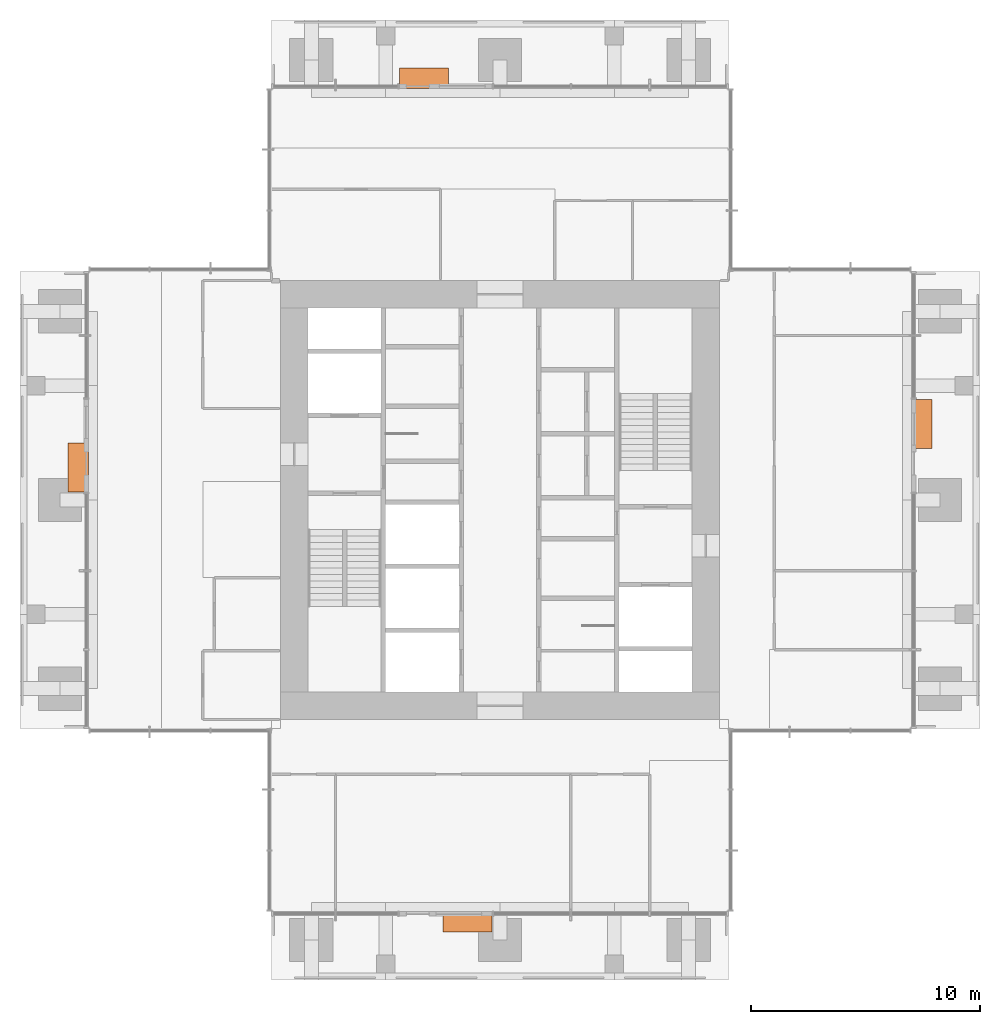
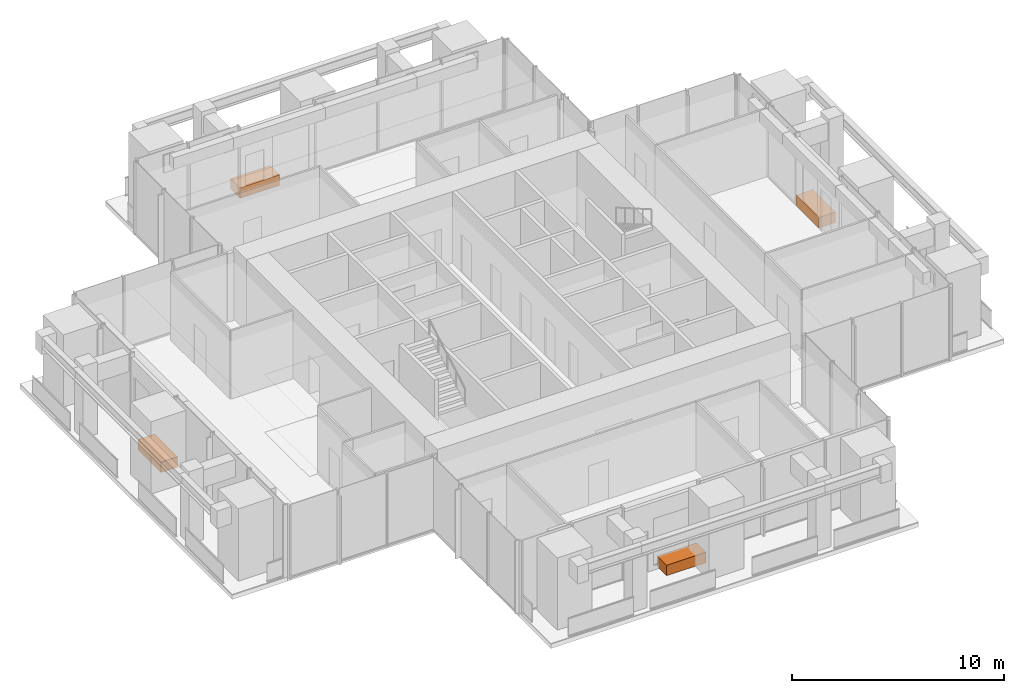
# One storey, part 12 of 12: 4 proxies.
"""IFC4 building model written with IfcOpenShell, lengths in metres."""

from ifc_helpers import new_model, si_unit, direction, frame, origin, origin_2d, place, context, subcontext, project, spatial, rectangle, extrude, element, save


model = new_model("IFC4")

# Units and contexts
model_context = context("Model", 3, precision=1e-05, world=origin(), true_north=direction((0.0, 1.0)))
body_context = subcontext(model_context, "Body", "Model", "MODEL_VIEW")
ifc_project = project(units=[si_unit("LENGTHUNIT", "METRE"), si_unit("AREAUNIT", "SQUARE_METRE"), si_unit("VOLUMEUNIT", "CUBIC_METRE"), si_unit("PLANEANGLEUNIT", "RADIAN"), si_unit("MASSUNIT", "GRAM", prefix="KILO")], contexts=[model_context])

# Site, building, storey
site_placement = place(None, origin())
site = spatial("IfcSite", under=ifc_project, at=site_placement, CompositionType="ELEMENT")
building_placement = place(site_placement, origin())
building = spatial("IfcBuilding", under=site, at=building_placement, Name="Svetlomir Tower", CompositionType="ELEMENT")
storey_placement = place(building_placement, frame((0.0, 0.0, 248.199951171875)))
storey = spatial("IfcBuildingStorey", under=building, at=storey_placement, Name="L59", CompositionType="ELEMENT", Elevation=248.199951171875)

# Proxies
proxy_1_placement = place(storey_placement, frame((19.574951171875, 2.550048828125, 0.0400390625), z_axis=(0.0, 0.0, 1.0), x_axis=(1.0, 0.0, 0.0)))
element("IfcBuildingElementProxy", 1, at=proxy_1_placement, inside=storey, Name="Tree planter S L59", ObjectType="PLANTER", PredefinedType="USERDEFINED", context=body_context, shape_type="SweptSolid", body=[
    extrude(rectangle(XDim=2.14990234375, YDim=0.89990234375, at=origin_2d()), origin(), (0.0, 0.0, 1.0), 0.60009765625),
])
proxy_2_placement = place(storey_placement, frame((39.449951171875, 24.324951171875, 0.0400390625), z_axis=(0.0, 0.0, 1.0), x_axis=(1.0, 0.0, 0.0)))
element("IfcBuildingElementProxy", 2, at=proxy_2_placement, inside=storey, Name="Tree planter E L59", ObjectType="PLANTER", PredefinedType="USERDEFINED", context=body_context, shape_type="SweptSolid", body=[
    extrude(rectangle(XDim=0.89990234375, YDim=2.14990234375, at=origin_2d()), origin(), (0.0, 0.0, 1.0), 0.60009765625),
])
proxy_3_placement = place(storey_placement, frame((17.675048828125, 39.449951171875, 0.0400390625), z_axis=(0.0, 0.0, 1.0), x_axis=(1.0, 0.0, 0.0)))
element("IfcBuildingElementProxy", 3, at=proxy_3_placement, inside=storey, Name="Tree planter N L59", ObjectType="PLANTER", PredefinedType="USERDEFINED", context=body_context, shape_type="SweptSolid", body=[
    extrude(rectangle(XDim=2.14990234375, YDim=0.89990234375, at=origin_2d()), origin(), (0.0, 0.0, 1.0), 0.60009765625),
])
proxy_4_placement = place(storey_placement, frame((2.550048828125, 22.425048828125, 0.0400390625), z_axis=(0.0, 0.0, 1.0), x_axis=(1.0, 0.0, 0.0)))
element("IfcBuildingElementProxy", 4, at=proxy_4_placement, inside=storey, Name="Tree planter W L59", ObjectType="PLANTER", PredefinedType="USERDEFINED", context=body_context, shape_type="SweptSolid", body=[
    extrude(rectangle(XDim=0.89990234375, YDim=2.14990234375, at=origin_2d()), origin(), (0.0, 0.0, 1.0), 0.60009765625),
])

save(model, "model.ifc")
